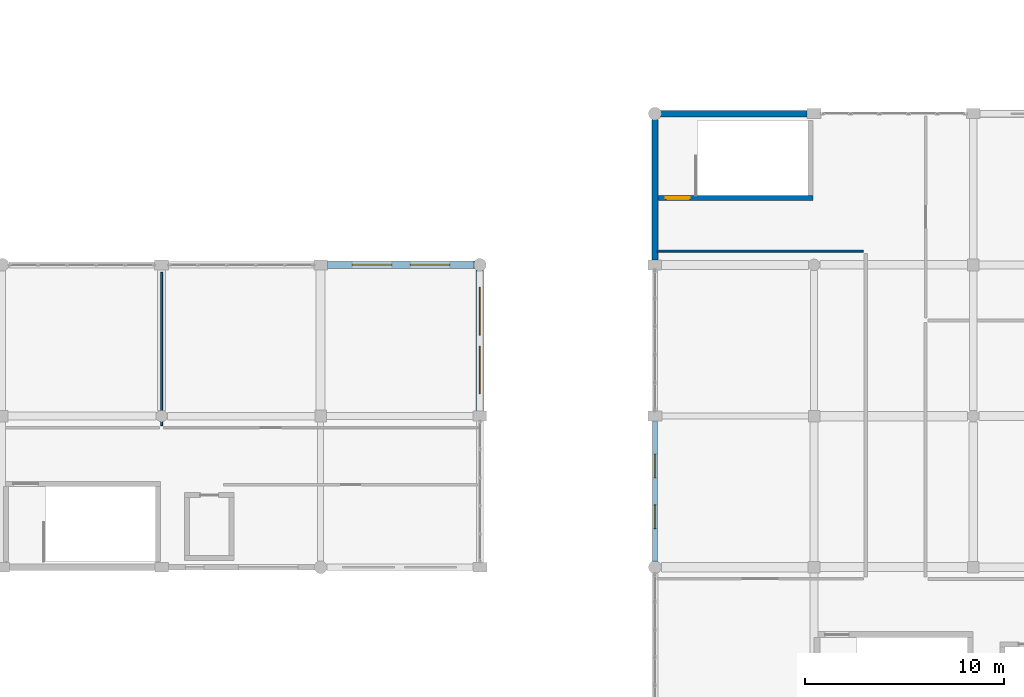
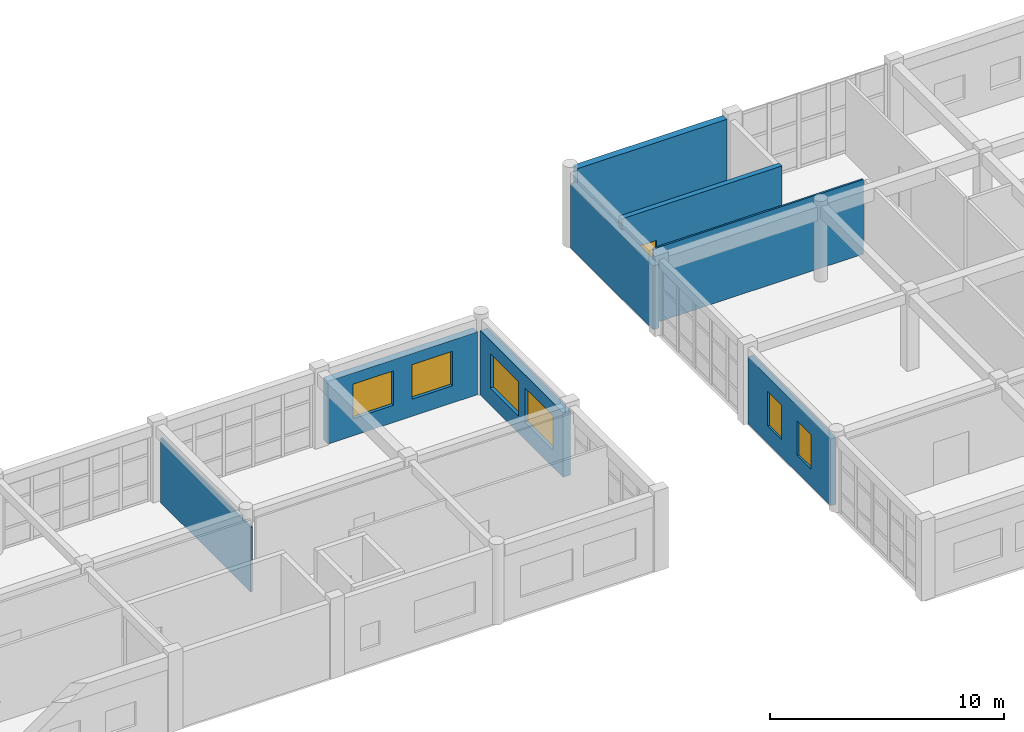
# One storey, part 105 of 121: 8 walls, 6 windows, 1 door, 7 openings.
"""IFC4 building model written with IfcOpenShell, lengths in metres."""

from ifc_helpers import new_model, si_unit, direction, frame, frame_2d, origin, place, context, subcontext, project, spatial, rectangle, extrude, material, layer, layer_set, type_object, element, fill, save


model = new_model("IFC4")

# Units and contexts
model_context = context("Model", 3, precision=1e-05, world=origin(), true_north=direction((0.0, 1.0)))
body_context = subcontext(model_context, "Body", "Model", "MODEL_VIEW")
ifc_project = project(units=[si_unit("LENGTHUNIT", "METRE"), si_unit("AREAUNIT", "SQUARE_METRE"), si_unit("VOLUMEUNIT", "CUBIC_METRE"), si_unit("PLANEANGLEUNIT", "RADIAN"), si_unit("MASSUNIT", "GRAM", prefix="KILO")], contexts=[model_context])

# Site, building, storey
site_placement = place(None, origin())
site = spatial("IfcSite", under=ifc_project, at=site_placement, CompositionType="ELEMENT")
building_placement = place(site_placement, origin())
building = spatial("IfcBuilding", under=site, at=building_placement, Name="Kharva Crest Polytechnic", CompositionType="ELEMENT")
storey_placement = place(building_placement, frame((0.0, 0.0, 13.199951171875)))
storey = spatial("IfcBuildingStorey", under=building, at=storey_placement, Name="L03", CompositionType="ELEMENT", Elevation=13.199951171875)

# Wall, openings, windows
ifc_material_1 = material(Name="Kiln brick masonry", Category="masonry")
ifc_layer_1 = layer(ifc_material_1, 0.260009765625, Name="Kiln brick masonry")
ifc_layer_set_1 = layer_set([ifc_layer_1], Name="Kiln brick masonry")
wall_type_1 = type_object("IfcWallType", Name="WL-EXT-BRK-260", PredefinedType="SOLIDWALL", material=ifc_layer_set_1)
wall_1_placement = place(storey_placement, frame((120.800048828125, 14.955078125, 0.0), z_axis=(0.0, 0.0, 1.0), x_axis=(0.0, -1.0, 0.0)))
wall_1 = element("IfcWall", 1, at=wall_1_placement, inside=storey, type_object=wall_type_1, Name="L03 Exterior Brick Wall 323", PredefinedType="SOLIDWALL", context=body_context, shape_type="SweptSolid", body=[
    extrude(rectangle(XDim=7.086181640625, YDim=0.260009765625, at=frame_2d((3.54296875, 0.0))), origin(), (0.0, 0.0, 1.0), 3.5),
])
opening_1_placement = place(wall_1_placement, frame((1.6689453125, 0.0, 0.89990234375)))
opening_1 = element("IfcOpeningElement", 2, at=opening_1_placement, cuts=wall_1, Name="Opening W08", PredefinedType="OPENING", context=body_context, shape_type="SweptSolid", body=[
    extrude(rectangle(XDim=1.199951171875, YDim=1.800048828125, at=frame_2d((0.60009765625, 0.89990234375))), frame((0.0, 0.139892578125, 0.0), z_axis=(0.0, -1.0, 0.0), x_axis=(1.0, 0.0, 0.0)), (0.0, 0.0, 1.0), 0.280029296875),
])
opening_2_placement = place(wall_1_placement, frame((4.217041015625, 0.0, 0.89990234375)))
opening_2 = element("IfcOpeningElement", 3, at=opening_2_placement, cuts=wall_1, Name="Opening W08", PredefinedType="OPENING", context=body_context, shape_type="SweptSolid", body=[
    extrude(rectangle(XDim=1.199951171875, YDim=1.800048828125, at=frame_2d((0.60009765625, 0.89990234375))), frame((0.0, 0.139892578125, 0.0), z_axis=(0.0, -1.0, 0.0), x_axis=(1.0, 0.0, 0.0)), (0.0, 0.0, 1.0), 0.280029296875),
])
ifc_material_2 = material(Name="Anodised aluminium", Category="aluminium")
window_type_1 = type_object("IfcWindowType", Name="WIN-ALU-1200X1800", PartitioningType="SINGLE_PANEL", PredefinedType="WINDOW", material=ifc_material_2)
window_1_placement = place(opening_1_placement, origin())
window_1 = element("IfcWindow", 4, at=window_1_placement, inside=storey, type_object=window_type_1, Name="L03 Exterior Window 436", OverallHeight=1.800048828125, OverallWidth=1.199951171875, PartitioningType="SINGLE_PANEL", PredefinedType="WINDOW", context=body_context, shape_type="SweptSolid", body=[
    extrude(rectangle(XDim=1.199951171875, YDim=1.800048828125, at=frame_2d((0.60009765625, 0.89990234375))), frame((0.0, 0.030029296875, 0.0), z_axis=(0.0, -1.0, 0.0), x_axis=(1.0, 0.0, 0.0)), (0.0, 0.0, 1.0), 0.06005859375),
])
fill(opening_1, window_1)
window_2_placement = place(opening_2_placement, origin())
window_2 = element("IfcWindow", 5, at=window_2_placement, inside=storey, type_object=window_type_1, Name="L03 Exterior Window 437", OverallHeight=1.800048828125, OverallWidth=1.199951171875, PartitioningType="SINGLE_PANEL", PredefinedType="WINDOW", context=body_context, shape_type="SweptSolid", body=[
    extrude(rectangle(XDim=1.199951171875, YDim=1.800048828125, at=frame_2d((0.60009765625, 0.89990234375))), frame((0.0, 0.030029296875, 0.0), z_axis=(0.0, -1.0, 0.0), x_axis=(1.0, 0.0, 0.0)), (0.0, 0.0, 1.0), 0.06005859375),
])
fill(opening_2, window_2)

# Walls
ifc_layer_2 = layer(ifc_material_1, 0.2900390625, Name="Kiln brick masonry")
ifc_layer_set_2 = layer_set([ifc_layer_2], Name="Kiln brick masonry")
wall_type_2 = type_object("IfcWallType", Name="WL-EXT-BRK-290", PredefinedType="SOLIDWALL", material=ifc_layer_set_2)
wall_2_placement = place(storey_placement, frame((120.800048828125, 30.131103515625, 0.0), z_axis=(0.0, 0.0, 1.0), x_axis=(0.0, -1.0, 0.0)))
element("IfcWall", 6, at=wall_2_placement, inside=storey, type_object=wall_type_2, Name="L03 Exterior Brick Wall 322", PredefinedType="SOLIDWALL", context=body_context, shape_type="SweptSolid", body=[
    extrude(rectangle(XDim=7.086181640625, YDim=0.2900390625, at=frame_2d((3.54296875, 0.0))), origin(), (0.0, 0.0, 1.0), 3.340087890625),
])
ifc_layer_3 = layer(ifc_material_1, 0.3349609375, Name="Kiln brick masonry")
ifc_layer_set_3 = layer_set([ifc_layer_3], Name="Kiln brick masonry")
wall_type_3 = type_object("IfcWallType", Name="WL-EXT-BRK-335", PredefinedType="SOLIDWALL", material=ifc_layer_set_3)
wall_3_placement = place(storey_placement, frame((128.455078125, 30.39990234375, 0.0), z_axis=(0.0, 0.0, 1.0), x_axis=(-1.0, 0.0, 0.0)))
element("IfcWall", 7, at=wall_3_placement, inside=storey, type_object=wall_type_3, Name="L03 Exterior Brick Wall 331", PredefinedType="SOLIDWALL", context=body_context, shape_type="SweptSolid", body=[
    extrude(rectangle(XDim=7.38623046875, YDim=0.3349609375, at=frame_2d((3.693115234375, 0.0))), origin(), (0.0, 0.0, 1.0), 3.920166015625),
])

# Wall, openings, windows
ifc_layer_4 = layer(ifc_material_1, 0.364990234375, Name="Kiln brick masonry")
ifc_layer_set_4 = layer_set([ifc_layer_4], Name="Kiln brick masonry")
wall_type_4 = type_object("IfcWallType", Name="WL-EXT-BRK-365", PredefinedType="SOLIDWALL", material=ifc_layer_set_4)
wall_4_placement = place(storey_placement, frame((111.731201171875, 22.800048828125, 0.0), z_axis=(0.0, 0.0, 1.0), x_axis=(-1.0, 0.0, 0.0)))
wall_4 = element("IfcWall", 8, at=wall_4_placement, inside=storey, type_object=wall_type_4, Name="L03 Exterior Brick Wall 320", PredefinedType="SOLIDWALL", context=body_context, shape_type="SweptSolid", body=[
    extrude(rectangle(XDim=7.396240234375, YDim=0.364990234375, at=frame_2d((3.6982421875, 0.0))), origin(), (0.0, 0.0, 1.0), 3.280029296875),
])
opening_3_placement = place(wall_4_placement, frame((1.239013671875, 0.0, 0.89990234375)))
opening_3 = element("IfcOpeningElement", 9, at=opening_3_placement, cuts=wall_4, Name="Opening W04", PredefinedType="OPENING", context=body_context, shape_type="SweptSolid", body=[
    extrude(rectangle(XDim=2.0, YDim=1.800048828125, at=frame_2d((1.0, 0.89990234375))), frame((0.0, 0.1923828125, 0.0), z_axis=(0.0, -1.0, 0.0), x_axis=(1.0, 0.0, 0.0)), (0.0, 0.0, 1.0), 0.385009765625),
])
opening_4_placement = place(wall_4_placement, frame((4.156982421875, 0.0, 0.89990234375)))
opening_4 = element("IfcOpeningElement", 10, at=opening_4_placement, cuts=wall_4, Name="Opening W04", PredefinedType="OPENING", context=body_context, shape_type="SweptSolid", body=[
    extrude(rectangle(XDim=2.0, YDim=1.800048828125, at=frame_2d((1.0, 0.89990234375))), frame((0.0, 0.1923828125, 0.0), z_axis=(0.0, -1.0, 0.0), x_axis=(1.0, 0.0, 0.0)), (0.0, 0.0, 1.0), 0.385009765625),
])
window_type_2 = type_object("IfcWindowType", Name="WIN-ALU-2000X1800", PartitioningType="SINGLE_PANEL", PredefinedType="WINDOW", material=ifc_material_2)
window_3_placement = place(opening_3_placement, origin())
window_3 = element("IfcWindow", 11, at=window_3_placement, inside=storey, type_object=window_type_2, Name="L03 Exterior Window 432", OverallHeight=1.800048828125, OverallWidth=2.0, PartitioningType="SINGLE_PANEL", PredefinedType="WINDOW", context=body_context, shape_type="SweptSolid", body=[
    extrude(rectangle(XDim=2.0, YDim=1.800048828125, at=frame_2d((1.0, 0.89990234375))), frame((0.0, 0.030029296875, 0.0), z_axis=(0.0, -1.0, 0.0), x_axis=(1.0, 0.0, 0.0)), (0.0, 0.0, 1.0), 0.06005859375),
])
fill(opening_3, window_3)
window_4_placement = place(opening_4_placement, origin())
window_4 = element("IfcWindow", 12, at=window_4_placement, inside=storey, type_object=window_type_2, Name="L03 Exterior Window 433", OverallHeight=1.800048828125, OverallWidth=2.0, PartitioningType="SINGLE_PANEL", PredefinedType="WINDOW", context=body_context, shape_type="SweptSolid", body=[
    extrude(rectangle(XDim=2.0, YDim=1.800048828125, at=frame_2d((1.0, 0.89990234375))), frame((0.0, 0.030029296875, 0.0), z_axis=(0.0, -1.0, 0.0), x_axis=(1.0, 0.0, 0.0)), (0.0, 0.0, 1.0), 0.06005859375),
])
fill(opening_4, window_4)

ifc_layer_5 = layer(ifc_material_1, 0.3798828125, Name="Kiln brick masonry")
ifc_layer_set_5 = layer_set([ifc_layer_5], Name="Kiln brick masonry")
wall_type_5 = type_object("IfcWallType", Name="WL-EXT-BRK-380", PredefinedType="SOLIDWALL", material=ifc_layer_set_5)
wall_5_placement = place(storey_placement, frame((112.0, 15.445068359375, 0.0), z_axis=(0.0, 0.0, 1.0), x_axis=(0.0, 1.0, 0.0)))
wall_5 = element("IfcWall", 13, at=wall_5_placement, inside=storey, type_object=wall_type_5, Name="L03 Exterior Brick Wall 319", PredefinedType="SOLIDWALL", context=body_context, shape_type="SweptSolid", body=[
    extrude(rectangle(XDim=7.086181640625, YDim=0.3798828125, at=frame_2d((3.54296875, 0.0))), origin(), (0.0, 0.0, 1.0), 3.380126953125),
])
opening_5_placement = place(wall_5_placement, frame((0.868896484375, 0.0, 0.89990234375)))
opening_5 = element("IfcOpeningElement", 14, at=opening_5_placement, cuts=wall_5, Name="Opening W02", PredefinedType="OPENING", context=body_context, shape_type="SweptSolid", body=[
    extrude(rectangle(XDim=2.39990234375, YDim=1.800048828125, at=frame_2d((1.199951171875, 0.89990234375))), frame((0.0, 0.199951171875, 0.0), z_axis=(0.0, -1.0, 0.0), x_axis=(1.0, 0.0, 0.0)), (0.0, 0.0, 1.0), 0.39990234375),
])
opening_6_placement = place(wall_5_placement, frame((3.81689453125, 0.0, 0.89990234375)))
opening_6 = element("IfcOpeningElement", 15, at=opening_6_placement, cuts=wall_5, Name="Opening W02", PredefinedType="OPENING", context=body_context, shape_type="SweptSolid", body=[
    extrude(rectangle(XDim=2.39990234375, YDim=1.800048828125, at=frame_2d((1.199951171875, 0.89990234375))), frame((0.0, 0.199951171875, 0.0), z_axis=(0.0, -1.0, 0.0), x_axis=(1.0, 0.0, 0.0)), (0.0, 0.0, 1.0), 0.39990234375),
])
window_type_3 = type_object("IfcWindowType", Name="WIN-ALU-2400X1800", PartitioningType="SINGLE_PANEL", PredefinedType="WINDOW", material=ifc_material_2)
window_5_placement = place(opening_5_placement, origin())
window_5 = element("IfcWindow", 16, at=window_5_placement, inside=storey, type_object=window_type_3, Name="L03 Exterior Window 430", OverallHeight=1.800048828125, OverallWidth=2.39990234375, PartitioningType="SINGLE_PANEL", PredefinedType="WINDOW", context=body_context, shape_type="SweptSolid", body=[
    extrude(rectangle(XDim=2.39990234375, YDim=1.800048828125, at=frame_2d((1.199951171875, 0.89990234375))), frame((0.0, 0.030029296875, 0.0), z_axis=(0.0, -1.0, 0.0), x_axis=(1.0, 0.0, 0.0)), (0.0, 0.0, 1.0), 0.06005859375),
])
fill(opening_5, window_5)
window_6_placement = place(opening_6_placement, origin())
window_6 = element("IfcWindow", 17, at=window_6_placement, inside=storey, type_object=window_type_3, Name="L03 Exterior Window 431", OverallHeight=1.800048828125, OverallWidth=2.39990234375, PartitioningType="SINGLE_PANEL", PredefinedType="WINDOW", context=body_context, shape_type="SweptSolid", body=[
    extrude(rectangle(XDim=2.39990234375, YDim=1.800048828125, at=frame_2d((1.199951171875, 0.89990234375))), frame((0.0, 0.030029296875, 0.0), z_axis=(0.0, -1.0, 0.0), x_axis=(1.0, 0.0, 0.0)), (0.0, 0.0, 1.0), 0.06005859375),
])
fill(opening_6, window_6)

# Walls
ifc_layer_6 = layer(ifc_material_1, 0.090087890625, Name="Kiln brick masonry")
ifc_layer_set_6 = layer_set([ifc_layer_6], Name="Kiln brick masonry")
wall_type_6 = type_object("IfcWallType", Name="WL-PART-090", PredefinedType="PARTITIONING", material=ifc_layer_set_6)
wall_6_placement = place(storey_placement, frame((120.909912109375, 23.489990234375, 0.0), z_axis=(0.0, 0.0, 1.0), x_axis=(1.0, 0.0, 0.0)))
element("IfcWall", 18, at=wall_6_placement, inside=storey, type_object=wall_type_6, Name="L03 Interior Partition 299", PredefinedType="PARTITIONING", context=body_context, shape_type="SweptSolid", body=[
    extrude(rectangle(XDim=10.3701171875, YDim=0.090087890625, at=frame_2d((5.18505859375, 0.0))), origin(), (0.0, 0.0, 1.0), 3.900146484375),
])
ifc_layer_7 = layer(ifc_material_1, 0.10009765625, Name="Kiln brick masonry")
ifc_layer_set_7 = layer_set([ifc_layer_7], Name="Kiln brick masonry")
wall_type_7 = type_object("IfcWallType", Name="WL-PART-100", PredefinedType="PARTITIONING", material=ifc_layer_set_7)
wall_7_placement = place(storey_placement, frame((96.0, 14.719970703125, 0.0), z_axis=(0.0, 0.0, 1.0), x_axis=(0.0, 1.0, 0.0)))
element("IfcWall", 19, at=wall_7_placement, inside=storey, type_object=wall_type_7, Name="L03 Interior Partition 308", PredefinedType="PARTITIONING", context=body_context, shape_type="SweptSolid", body=[
    extrude(rectangle(XDim=7.699951171875, YDim=0.10009765625, at=frame_2d((3.85009765625, 0.0))), origin(), (0.0, 0.0, 1.0), 3.380126953125),
])

# Wall, opening, door
ifc_material_3 = material(Name="Concrete C40/50", Category="concrete")
ifc_layer_8 = layer(ifc_material_3, 0.25, Name="Concrete C40/50")
ifc_layer_set_8 = layer_set([ifc_layer_8], Name="Concrete C40/50")
wall_type_8 = type_object("IfcWallType", Name="WL-SHEAR-SW1-250", PredefinedType="SHEAR", material=ifc_layer_set_8)
wall_8_placement = place(storey_placement, frame((120.85009765625, 26.1650390625, 0.0), z_axis=(0.0, 0.0, 1.0), x_axis=(1.0, 0.0, 0.0)))
wall_8 = element("IfcWall", 20, at=wall_8_placement, inside=storey, type_object=wall_type_8, Name="L03 South-East Escarpment Secondary Stair C7 South Shear Wall", PredefinedType="SHEAR", context=body_context, shape_type="SweptSolid", body=[
    extrude(rectangle(XDim=7.89990234375, YDim=0.25, at=frame_2d((3.949951171875, 0.0))), origin(), (0.0, 0.0, 1.0), 3.920166015625),
])
opening_7_placement = place(wall_8_placement, frame((0.5, 0.0, 0.0)))
opening_7 = element("IfcOpeningElement", 21, at=opening_7_placement, cuts=wall_8, Name="Opening FD1", PredefinedType="OPENING", context=body_context, shape_type="SweptSolid", body=[
    extrude(rectangle(XDim=1.199951171875, YDim=2.199951171875, at=frame_2d((0.60009765625, 1.10009765625))), frame((0.0, 0.135009765625, 0.0), z_axis=(0.0, -1.0, 0.0), x_axis=(1.0, 0.0, 0.0)), (0.0, 0.0, 1.0), 0.27001953125),
])
ifc_material_4 = material(Name="Teak timber", Category="wood")
door_type = type_object("IfcDoorType", Name="DR-STAIR-1200X2200", OperationType="NOTDEFINED", PredefinedType="DOOR", material=ifc_material_4)
door_placement = place(opening_7_placement, origin())
door = element("IfcDoor", 22, at=door_placement, inside=storey, type_object=door_type, Name="L03 ST-07 Stair Door", OperationType="SINGLE_SWING_LEFT", OverallHeight=2.199951171875, OverallWidth=1.199951171875, PredefinedType="DOOR", context=body_context, shape_type="SweptSolid", body=[
    extrude(rectangle(XDim=1.199951171875, YDim=2.199951171875, at=frame_2d((0.60009765625, 1.10009765625))), frame((0.0, 0.02490234375, 0.0), z_axis=(0.0, -1.0, 0.0), x_axis=(1.0, 0.0, 0.0)), (0.0, 0.0, 1.0), 0.050048828125),
])
fill(opening_7, door)

save(model, "model.ifc")
